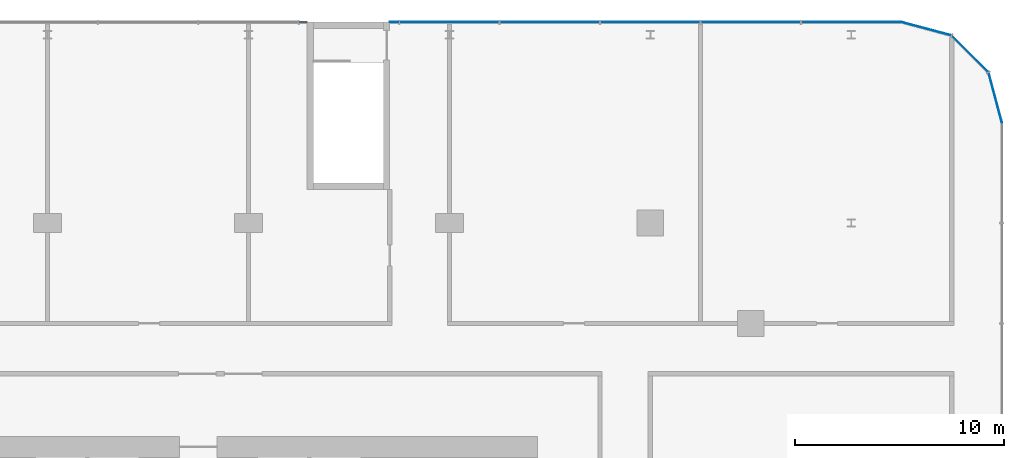
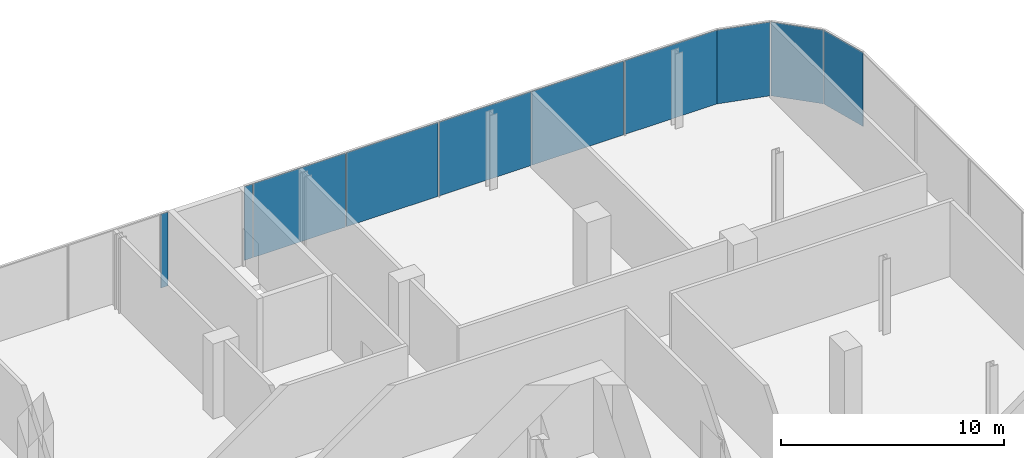
# One storey, part 21 of 32: 10 plates, 2 elements without a shape of their own.
"""IFC4 building model written with IfcOpenShell, lengths in metres."""

from ifc_helpers import new_model, si_unit, direction, frame, origin, origin_2d, place, context, subcontext, project, spatial, rectangle, extrude, material, layer, layer_set, type_object, element, aggregate, save


model = new_model("IFC4")

# Units and contexts
model_context = context("Model", 3, precision=1e-05, world=origin(), true_north=direction((0.0, 1.0)))
body_context = subcontext(model_context, "Body", "Model", "MODEL_VIEW")
ifc_project = project(units=[si_unit("LENGTHUNIT", "METRE"), si_unit("AREAUNIT", "SQUARE_METRE"), si_unit("VOLUMEUNIT", "CUBIC_METRE"), si_unit("PLANEANGLEUNIT", "RADIAN"), si_unit("MASSUNIT", "GRAM", prefix="KILO")], contexts=[model_context])

# Site, building, storey
site_placement = place(None, origin())
site = spatial("IfcSite", under=ifc_project, at=site_placement, CompositionType="ELEMENT")
building_placement = place(site_placement, origin())
building = spatial("IfcBuilding", under=site, at=building_placement, Name="Madar Terraces", CompositionType="ELEMENT")
storey_placement = place(building_placement, frame((0.0, 0.0, 19.5)))
storey = spatial("IfcBuildingStorey", under=building, at=storey_placement, Name="L04", CompositionType="ELEMENT", Elevation=19.5)

# Curtain wall, plates
ifc_material_1 = material(Name="Glass, clear low-iron, with black aluminium frame", Category="aluminium")
ifc_layer_1 = layer(ifc_material_1, 0.199951171875)
ifc_layer_set_1 = layer_set([ifc_layer_1], Name="Facade curtain wall, shopfront glazing")
curtain_wall_type = type_object("IfcCurtainWallType", Name="Facade curtain wall, shopfront glazing", PredefinedType="NOTDEFINED", material=ifc_layer_set_1)
curtain_wall_1_placement = place(storey_placement, origin())
curtain_wall_1 = element("IfcCurtainWall", 1, at=curtain_wall_1_placement, inside=storey, type_object=curtain_wall_type, Name="Outer skin curtain wall north bay 1", PredefinedType="NOTDEFINED")
ifc_material_2 = material(Name="Glass, ceramic frit dark grey", Category="glass")
ifc_layer_2 = layer(ifc_material_2, 0.028076171875)
ifc_layer_set_2 = layer_set([ifc_layer_2], Name="Facade glass panel 28")
plate_type = type_object("IfcPlateType", Name="Facade glass panel 28", PredefinedType="CURTAIN_PANEL", material=ifc_layer_set_2)
plate_1_placement = place(storey_placement, frame((62.4150390625, 57.60009765625, 0.0), z_axis=(0.0, 0.0, 1.0), x_axis=(-1.0, 0.0, 0.0)))
plate_1 = element("IfcPlate", 2, at=plate_1_placement, type_object=plate_type, Name="Panel 1", PredefinedType="CURTAIN_PANEL", context=body_context, shape_type="SweptSolid", body=[
    extrude(rectangle(XDim=4.77001953125, YDim=0.028076171875, at=origin_2d()), origin(), (0.0, 0.0, 1.0), 4.0400390625),
])
plate_2_placement = place(storey_placement, frame((57.60009765625, 57.60009765625, 0.0), z_axis=(0.0, 0.0, 1.0), x_axis=(-1.0, 0.0, 0.0)))
plate_2 = element("IfcPlate", 3, at=plate_2_placement, type_object=plate_type, Name="Panel 2", PredefinedType="CURTAIN_PANEL", context=body_context, shape_type="SweptSolid", body=[
    extrude(rectangle(XDim=4.739990234375, YDim=0.028076171875, at=origin_2d()), origin(), (0.0, 0.0, 1.0), 4.0400390625),
])
plate_3_placement = place(storey_placement, frame((52.800048828125, 57.60009765625, 0.0), z_axis=(0.0, 0.0, 1.0), x_axis=(-1.0, 0.0, 0.0)))
plate_3 = element("IfcPlate", 4, at=plate_3_placement, type_object=plate_type, Name="Panel 3", PredefinedType="CURTAIN_PANEL", context=body_context, shape_type="SweptSolid", body=[
    extrude(rectangle(XDim=4.739990234375, YDim=0.028076171875, at=origin_2d()), origin(), (0.0, 0.0, 1.0), 4.0400390625),
])
plate_4_placement = place(storey_placement, frame((48.0, 57.60009765625, 0.0), z_axis=(0.0, 0.0, 1.0), x_axis=(-1.0, 0.0, 0.0)))
plate_4 = element("IfcPlate", 5, at=plate_4_placement, type_object=plate_type, Name="Panel 4", PredefinedType="CURTAIN_PANEL", context=body_context, shape_type="SweptSolid", body=[
    extrude(rectangle(XDim=4.739990234375, YDim=0.028076171875, at=origin_2d()), origin(), (0.0, 0.0, 1.0), 4.0400390625),
])
plate_5_placement = place(storey_placement, frame((43.199951171875, 57.60009765625, 0.0), z_axis=(0.0, 0.0, 1.0), x_axis=(-1.0, 0.0, 0.0)))
plate_5 = element("IfcPlate", 6, at=plate_5_placement, type_object=plate_type, Name="Panel 5", PredefinedType="CURTAIN_PANEL", context=body_context, shape_type="SweptSolid", body=[
    extrude(rectangle(XDim=4.739990234375, YDim=0.028076171875, at=origin_2d()), origin(), (0.0, 0.0, 1.0), 4.0400390625),
])
plate_6_placement = place(storey_placement, frame((40.56005859375, 57.60009765625, 0.0), z_axis=(0.0, 0.0, 1.0), x_axis=(-1.0, 0.0, 0.0)))
plate_6 = element("IfcPlate", 7, at=plate_6_placement, type_object=plate_type, Name="Panel 6", PredefinedType="CURTAIN_PANEL", context=body_context, shape_type="SweptSolid", body=[
    extrude(rectangle(XDim=0.419921875, YDim=0.028076171875, at=origin_2d()), origin(), (0.0, 0.0, 1.0), 4.0400390625),
])
plate_7_placement = place(storey_placement, frame((36.215087890625, 57.60009765625, 0.0), z_axis=(0.0, 0.0, 1.0), x_axis=(-1.0, 0.0, 0.0)))
plate_7 = element("IfcPlate", 8, at=plate_7_placement, type_object=plate_type, Name="Panel 7", PredefinedType="CURTAIN_PANEL", context=body_context, shape_type="SweptSolid", body=[
    extrude(rectangle(XDim=0.3701171875, YDim=0.028076171875, at=origin_2d()), origin(), (0.0, 0.0, 1.0), 4.0400390625),
])
aggregate(curtain_wall_1, [plate_1, plate_2, plate_3, plate_4, plate_5, plate_6, plate_7])

curtain_wall_2_placement = place(storey_placement, origin())
curtain_wall_2 = element("IfcCurtainWall", 9, at=curtain_wall_2_placement, inside=storey, type_object=curtain_wall_type, Name="Outer skin curtain wall north-east corner", PredefinedType="NOTDEFINED")
plate_8_placement = place(storey_placement, frame((69.2822265625, 53.985595703125, 0.0), z_axis=(0.0, 0.0, 1.0), x_axis=(-0.258819021888, 0.965925832509, 0.0)))
plate_8 = element("IfcPlate", 10, at=plate_8_placement, type_object=plate_type, Name="Panel 1", PredefinedType="CURTAIN_PANEL", context=body_context, shape_type="SweptSolid", body=[
    extrude(rectangle(XDim=2.45458984375, YDim=0.028076171875, at=origin_2d()), origin(), (0.0, 0.0, 1.0), 4.0400390625),
])
plate_9_placement = place(storey_placement, frame((68.078369140625, 56.078369140625, 0.0), z_axis=(0.0, 0.0, 1.0), x_axis=(-0.707106781187, 0.707106781187, 0.0)))
plate_9 = element("IfcPlate", 11, at=plate_9_placement, type_object=plate_type, Name="Panel 2", PredefinedType="CURTAIN_PANEL", context=body_context, shape_type="SweptSolid", body=[
    extrude(rectangle(XDim=2.424560546875, YDim=0.028076171875, at=origin_2d()), origin(), (0.0, 0.0, 1.0), 4.0400390625),
])
plate_10_placement = place(storey_placement, frame((65.985595703125, 57.2822265625, 0.0), z_axis=(0.0, 0.0, 1.0), x_axis=(-0.965925832509, 0.258819021888, 0.0)))
plate_10 = element("IfcPlate", 12, at=plate_10_placement, type_object=plate_type, Name="Panel 3", PredefinedType="CURTAIN_PANEL", context=body_context, shape_type="SweptSolid", body=[
    extrude(rectangle(XDim=2.45458984375, YDim=0.028076171875, at=origin_2d()), origin(), (0.0, 0.0, 1.0), 4.0400390625),
])
aggregate(curtain_wall_2, [plate_8, plate_9, plate_10])

save(model, "model.ifc")
